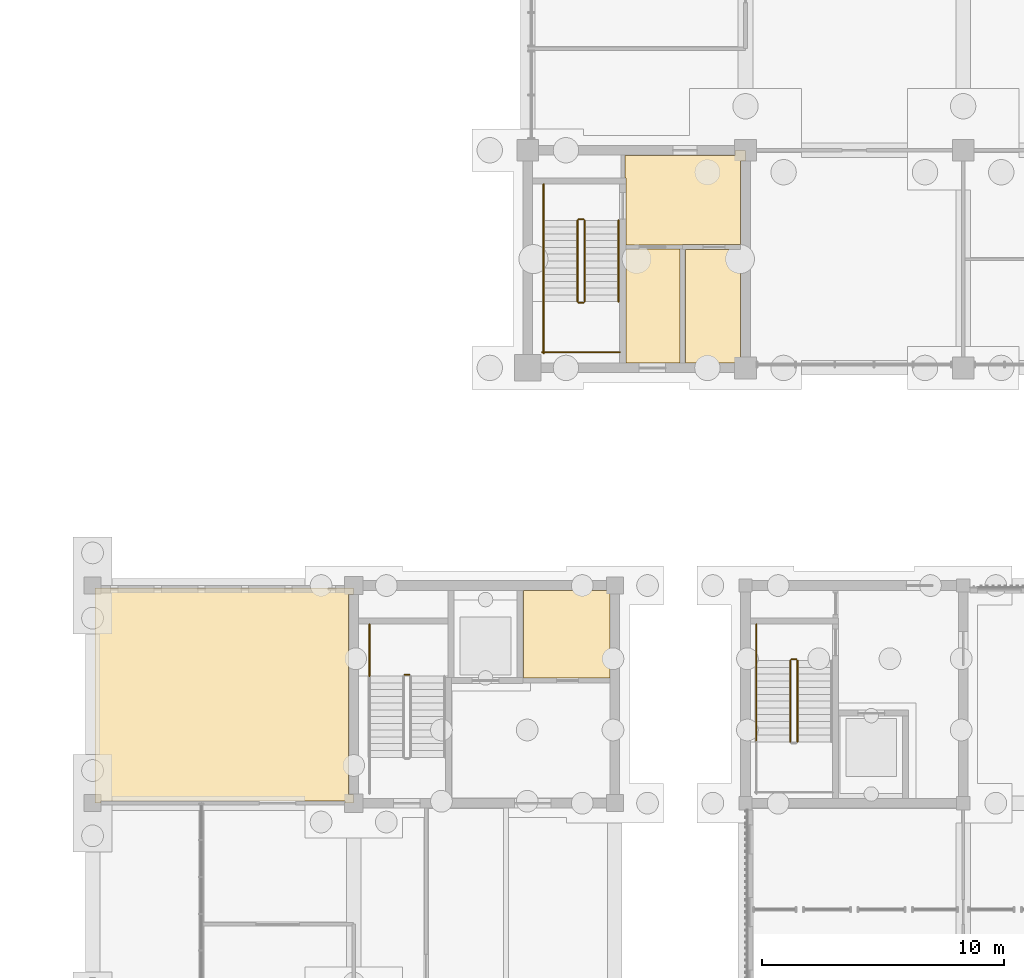
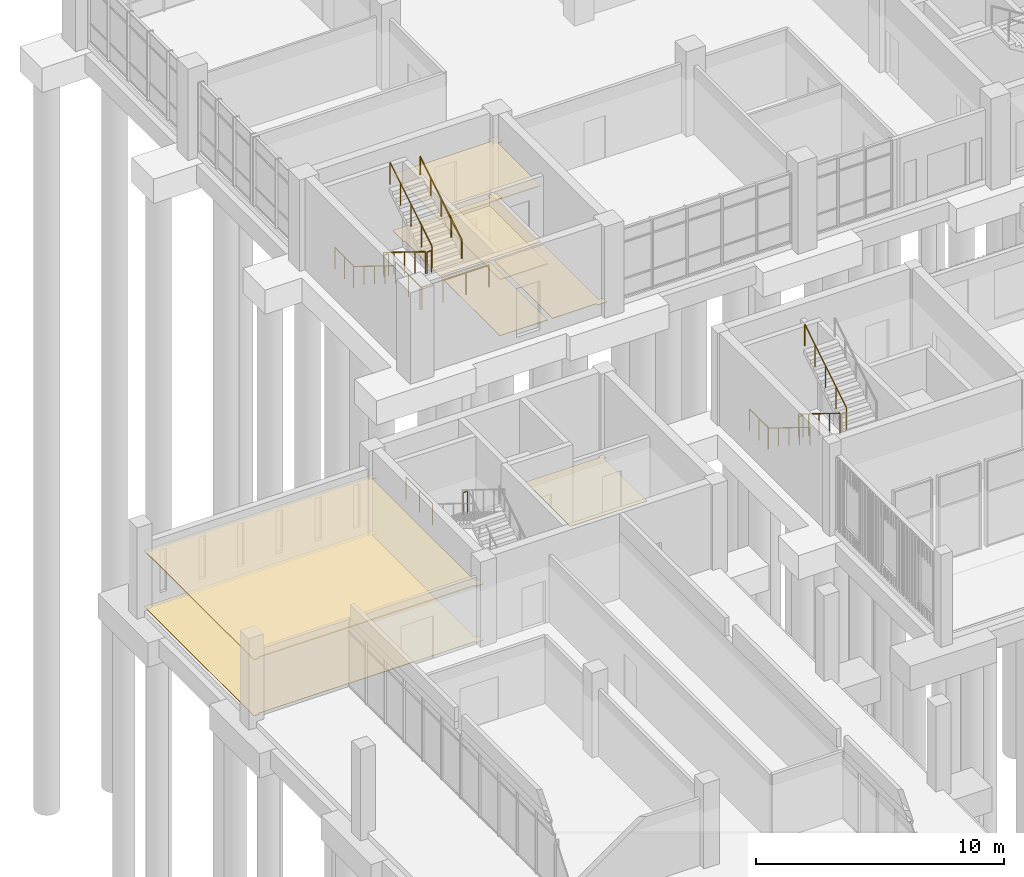
# One storey, part 99 of 106: 16 railings, 8 coverings.
"""IFC4 building model written with IfcOpenShell, lengths in metres."""

from ifc_helpers import new_model, si_unit, direction, frame, origin, origin_2d, place, context, subcontext, project, spatial, polyline, circle, outline, extrude, material, layer, layer_set, type_object, element, save


model = new_model("IFC4")

# Units and contexts
model_context = context("Model", 3, precision=1e-05, world=origin(), true_north=direction((0.0, 1.0)))
body_context = subcontext(model_context, "Body", "Model", "MODEL_VIEW")
ifc_project = project(units=[si_unit("LENGTHUNIT", "METRE"), si_unit("AREAUNIT", "SQUARE_METRE"), si_unit("VOLUMEUNIT", "CUBIC_METRE"), si_unit("PLANEANGLEUNIT", "RADIAN"), si_unit("MASSUNIT", "GRAM", prefix="KILO")], contexts=[model_context])

# Site, building, storey
site_placement = place(None, origin())
site = spatial("IfcSite", under=ifc_project, at=site_placement, CompositionType="ELEMENT")
building_placement = place(site_placement, origin())
building = spatial("IfcBuilding", under=site, at=building_placement, Name="Merrow Basin Faculty of Sciences", CompositionType="ELEMENT")
storey_placement = place(building_placement, origin())
storey = spatial("IfcBuildingStorey", under=building, at=storey_placement, Name="L00", CompositionType="ELEMENT", Elevation=0.0)

# Coverings
ifc_material_1 = material(Name="Carpet tile floor")
ifc_layer_1 = layer(ifc_material_1, 0.02001953125)
ifc_layer_set_1 = layer_set([ifc_layer_1], Name="Carpet tile floor")
covering_type_1 = type_object("IfcCoveringType", Name="Carpet tile floor", PredefinedType="FLOORING", material=ifc_layer_set_1)
covering_1_placement = place(storey_placement, origin())
element("IfcCovering", 1, at=covering_1_placement, inside=storey, type_object=covering_type_1, Name="Floor finish L00-B-013", PredefinedType="FLOORING", context=body_context, shape_type="SweptSolid", body=[
    extrude(outline(polyline([(21.389892578125, 129.18505859375), (17.81005859375, 129.18505859375), (17.81005859375, 132.7900390625), (21.260009765625, 132.7900390625), (21.260009765625, 132.889892578125), (21.489990234375, 132.889892578125), (21.489990234375, 132.659912109375), (21.389892578125, 132.659912109375), (21.389892578125, 129.18505859375)])), origin(), (0.0, 0.0, 1.0), 0.02001953125),
])
covering_2_placement = place(storey_placement, origin())
element("IfcCovering", 2, at=covering_2_placement, inside=storey, type_object=covering_type_1, Name="Floor finish L00-T-011", PredefinedType="FLOORING", context=body_context, shape_type="SweptSolid", body=[
    extrude(outline(polyline([(26.989990234375, 142.110107421875), (26.56005859375, 142.110107421875), (26.56005859375, 142.2099609375), (24.510009765625, 142.2099609375), (24.510009765625, 146.889892578125), (26.7900390625, 146.889892578125), (26.7900390625, 142.43994140625), (26.989990234375, 142.43994140625), (26.989990234375, 142.110107421875)])), origin(), (0.0, 0.0, 1.0), 0.02001953125),
])
ifc_material_2 = material(Name="Polished terrazzo floor")
ifc_layer_2 = layer(ifc_material_2, 0.02001953125)
ifc_layer_set_2 = layer_set([ifc_layer_2], Name="Polished terrazzo floor")
covering_type_2 = type_object("IfcCoveringType", Name="Polished terrazzo floor", PredefinedType="FLOORING", material=ifc_layer_set_2)
covering_3_placement = place(storey_placement, origin())
element("IfcCovering", 3, at=covering_3_placement, inside=storey, type_object=covering_type_2, Name="Floor finish L00-T-009", PredefinedType="FLOORING", context=body_context, shape_type="SweptSolid", body=[
    extrude(outline(polyline([(26.989990234375, 150.989990234375), (26.989990234375, 150.56005859375), (26.7900390625, 150.56005859375), (26.7900390625, 147.110107421875), (24.389892578125, 147.110107421875), (24.389892578125, 147.0849609375), (22.06005859375, 147.0849609375), (22.06005859375, 149.860107421875), (22.010009765625, 149.860107421875), (22.010009765625, 150.7900390625), (26.56005859375, 150.7900390625), (26.56005859375, 150.989990234375), (26.989990234375, 150.989990234375)])), origin(), (0.0, 0.0, 1.0), 0.02001953125),
])
covering_4_placement = place(storey_placement, origin())
element("IfcCovering", 4, at=covering_4_placement, inside=storey, type_object=covering_type_2, Name="Floor finish L00-T-010", PredefinedType="FLOORING", context=body_context, shape_type="SweptSolid", body=[
    extrude(outline(polyline([(24.2900390625, 146.9150390625), (24.2900390625, 142.2099609375), (22.06005859375, 142.2099609375), (22.06005859375, 146.9150390625), (24.2900390625, 146.9150390625)])), origin(), (0.0, 0.0, 1.0), 0.02001953125),
])
ifc_material_3 = material(Name="Sealed concrete floor", Category="concrete")
ifc_layer_3 = layer(ifc_material_3, 0.02001953125)
ifc_layer_set_3 = layer_set([ifc_layer_3], Name="Sealed concrete floor")
covering_type_3 = type_object("IfcCoveringType", Name="Sealed concrete floor", PredefinedType="FLOORING", material=ifc_layer_set_3)
covering_5_placement = place(storey_placement, origin())
element("IfcCovering", 5, at=covering_5_placement, inside=storey, type_object=covering_type_3, Name="Floor finish L00-B-024", PredefinedType="FLOORING", context=body_context, shape_type="SweptSolid", body=[
    extrude(outline(polyline([(10.43505859375, 124.010009765625), (10.43505859375, 124.0849609375), (0.340087890625, 124.0849609375), (0.340087890625, 124.010009765625), (0.110107421875, 124.010009765625), (0.110107421875, 132.889892578125), (10.7900390625, 132.889892578125), (10.7900390625, 132.635009765625), (10.590087890625, 132.635009765625), (10.590087890625, 124.364990234375), (10.7900390625, 124.364990234375), (10.7900390625, 124.010009765625), (10.43505859375, 124.010009765625)])), origin(), (0.0, 0.0, 1.0), 0.02001953125),
])

# Railings
ifc_material_4 = material(Name="Steel ASTM A36", Category="steel")
railing_type_1 = type_object("IfcRailingType", Name="Steel guard 1100", PredefinedType="GUARDRAIL", material=ifc_material_4)
railing_1_placement = place(storey_placement, frame((13.10009765625, 129.31005859375, 2.25)))
element("IfcRailing", 6, at=railing_1_placement, inside=storey, type_object=railing_type_1, Name="L00 ST-V4-N stair guard 2", PredefinedType="GUARDRAIL", context=body_context, shape_type="SweptSolid", body=[
    extrude(circle(Radius=0.02392578125, at=origin_2d()), frame((0.0, 0.0, 1.076171875), z_axis=(-1.0, 0.0, 0.0), x_axis=(0.0, -1.0, 0.0)), (0.0, 0.0, 1.0), 0.2001953125),
    extrude(circle(Radius=0.02099609375, at=origin_2d()), origin(), (0.0, 0.0, 1.0), 1.052001953125),
    extrude(circle(Radius=0.02099609375, at=origin_2d()), frame((-0.2001953125, 0.0, 0.0)), (0.0, 0.0, 1.0), 1.052001953125),
])
railing_2_placement = place(storey_placement, frame((11.449951171875, 129.260009765625, 2.25)))
element("IfcRailing", 7, at=railing_2_placement, inside=storey, type_object=railing_type_1, Name="L00 ST-V4-N stair guard 3", PredefinedType="GUARDRAIL", context=body_context, shape_type="SweptSolid", body=[
    extrude(circle(Radius=0.02392578125, at=origin_2d()), frame((0.0, 0.0, 1.076171875), z_axis=(0.0, 1.0, 0.0), x_axis=(-1.0, 0.0, 0.0)), (0.0, 0.0, 1.0), 2.139892578125),
    extrude(circle(Radius=0.02099609375, at=origin_2d()), origin(), (0.0, 0.0, 1.0), 1.052001953125),
    extrude(circle(Radius=0.02099609375, at=origin_2d()), frame((0.0, 1.06982421875, 0.0)), (0.0, 0.0, 1.0), 1.052001953125),
    extrude(circle(Radius=0.02099609375, at=origin_2d()), frame((0.0, 2.139892578125, 0.0)), (0.0, 0.0, 1.0), 1.052001953125),
])
railing_3_placement = place(storey_placement, frame((28.85009765625, 129.89990234375, 0.173095703125)))
element("IfcRailing", 8, at=railing_3_placement, inside=storey, type_object=railing_type_1, Name="L00 ST-V2-W stair guard 1", PredefinedType="GUARDRAIL", context=body_context, shape_type="SweptSolid", body=[
    extrude(circle(Radius=0.02392578125, at=origin_2d()), frame((0.0, 0.0, 1.076171875), z_axis=(0.0, -0.850606129759, 0.525803396734), x_axis=(1.0, 0.0, 0.0)), (0.0, 0.0, 1.0), 3.949951171875),
    extrude(circle(Radius=0.02099609375, at=origin_2d()), origin(), (0.0, 0.0, 1.0), 1.052001953125),
    extrude(circle(Radius=0.02099609375, at=origin_2d()), frame((0.0, -0.83984375, 0.519287109375)), (0.0, 0.0, 1.0), 1.052001953125),
    extrude(circle(Radius=0.02099609375, at=origin_2d()), frame((0.0, -1.679931640625, 1.03857421875)), (0.0, 0.0, 1.0), 1.052001953125),
    extrude(circle(Radius=0.02099609375, at=origin_2d()), frame((0.0, -2.52001953125, 1.5576171875)), (0.0, 0.0, 1.0), 1.052001953125),
    extrude(circle(Radius=0.02099609375, at=origin_2d()), frame((0.0, -3.35986328125, 2.076904296875)), (0.0, 0.0, 1.0), 1.052001953125),
])
railing_4_placement = place(storey_placement, frame((29.14990234375, 126.5400390625, 2.423095703125)))
element("IfcRailing", 9, at=railing_4_placement, inside=storey, type_object=railing_type_1, Name="L00 ST-V2-W stair guard 5", PredefinedType="GUARDRAIL", context=body_context, shape_type="SweptSolid", body=[
    extrude(circle(Radius=0.02392578125, at=origin_2d()), frame((0.0, 0.0, 1.076171875), z_axis=(0.0, 0.850606129759, 0.525803396734), x_axis=(-1.0, 0.0, 0.0)), (0.0, 0.0, 1.0), 3.949951171875),
    extrude(circle(Radius=0.02099609375, at=origin_2d()), origin(), (0.0, 0.0, 1.0), 1.052001953125),
    extrude(circle(Radius=0.02099609375, at=origin_2d()), frame((0.0, 0.83984375, 0.519287109375)), (0.0, 0.0, 1.0), 1.052001953125),
    extrude(circle(Radius=0.02099609375, at=origin_2d()), frame((0.0, 1.679931640625, 1.03857421875)), (0.0, 0.0, 1.0), 1.052001953125),
    extrude(circle(Radius=0.02099609375, at=origin_2d()), frame((0.0, 2.52001953125, 1.5576171875)), (0.0, 0.0, 1.0), 1.052001953125),
    extrude(circle(Radius=0.02099609375, at=origin_2d()), frame((0.0, 3.35986328125, 2.076904296875)), (0.0, 0.0, 1.0), 1.052001953125),
])
railing_5_placement = place(storey_placement, frame((28.89990234375, 129.949951171875, 0.0)))
element("IfcRailing", 10, at=railing_5_placement, inside=storey, type_object=railing_type_1, Name="L00 ST-V2-W stair guard 6", PredefinedType="GUARDRAIL", context=body_context, shape_type="SweptSolid", body=[
    extrude(circle(Radius=0.02392578125, at=origin_2d()), frame((0.0, 0.0, 1.076171875), z_axis=(1.0, 0.0, 0.0), x_axis=(0.0, 1.0, 0.0)), (0.0, 0.0, 1.0), 0.2001953125),
    extrude(circle(Radius=0.02099609375, at=origin_2d()), origin(), (0.0, 0.0, 1.0), 1.052001953125),
    extrude(circle(Radius=0.02099609375, at=origin_2d()), frame((0.2001953125, 0.0, 0.0)), (0.0, 0.0, 1.0), 1.052001953125),
])
railing_6_placement = place(storey_placement, frame((27.449951171875, 131.39990234375, 0.0)))
element("IfcRailing", 11, at=railing_6_placement, inside=storey, type_object=railing_type_1, Name="L00 ST-V2-W stair guard 7", PredefinedType="GUARDRAIL", context=body_context, shape_type="SweptSolid", body=[
    extrude(circle(Radius=0.02392578125, at=origin_2d()), frame((0.0, 0.0, 1.076171875), z_axis=(0.0, -1.0, 0.0), x_axis=(1.0, 0.0, 0.0)), (0.0, 0.0, 1.0), 1.5),
    extrude(circle(Radius=0.02099609375, at=origin_2d()), origin(), (0.0, 0.0, 1.0), 1.052001953125),
    extrude(circle(Radius=0.02099609375, at=origin_2d()), frame((0.0, -0.75, 0.0)), (0.0, 0.0, 1.0), 1.052001953125),
    extrude(circle(Radius=0.02099609375, at=origin_2d()), frame((0.0, -1.5, 0.0)), (0.0, 0.0, 1.0), 1.052001953125),
])
railing_7_placement = place(storey_placement, frame((20.050048828125, 148.10009765625, 0.173095703125)))
element("IfcRailing", 12, at=railing_7_placement, inside=storey, type_object=railing_type_1, Name="L00 ST-V5-W stair guard 1", PredefinedType="GUARDRAIL", context=body_context, shape_type="SweptSolid", body=[
    extrude(circle(Radius=0.02392578125, at=origin_2d()), frame((0.0, 0.0, 1.076171875), z_axis=(0.0, -0.850623216509, 0.525775754039), x_axis=(1.0, 0.0, 0.0)), (0.0, 0.0, 1.0), 3.9501953125),
    extrude(circle(Radius=0.02099609375, at=origin_2d()), origin(), (0.0, 0.0, 1.0), 1.052001953125),
    extrude(circle(Radius=0.02099609375, at=origin_2d()), frame((0.0, -0.840087890625, 0.519287109375)), (0.0, 0.0, 1.0), 1.052001953125),
    extrude(circle(Radius=0.02099609375, at=origin_2d()), frame((0.0, -1.68017578125, 1.03857421875)), (0.0, 0.0, 1.0), 1.052001953125),
    extrude(circle(Radius=0.02099609375, at=origin_2d()), frame((0.0, -2.52001953125, 1.5576171875)), (0.0, 0.0, 1.0), 1.052001953125),
    extrude(circle(Radius=0.02099609375, at=origin_2d()), frame((0.0, -3.360107421875, 2.076904296875)), (0.0, 0.0, 1.0), 1.052001953125),
])
railing_8_placement = place(storey_placement, frame((20.10009765625, 144.68994140625, 2.25)))
element("IfcRailing", 13, at=railing_8_placement, inside=storey, type_object=railing_type_1, Name="L00 ST-V5-W stair guard 2", PredefinedType="GUARDRAIL", context=body_context, shape_type="SweptSolid", body=[
    extrude(circle(Radius=0.02392578125, at=origin_2d()), frame((0.0, 0.0, 1.076171875), z_axis=(1.0, 0.0, 0.0), x_axis=(0.0, 1.0, 0.0)), (0.0, 0.0, 1.0), 0.199951171875),
    extrude(circle(Radius=0.02099609375, at=origin_2d()), origin(), (0.0, 0.0, 1.0), 1.052001953125),
    extrude(circle(Radius=0.02099609375, at=origin_2d()), frame((0.199951171875, 0.0, 0.0)), (0.0, 0.0, 1.0), 1.052001953125),
])
railing_9_placement = place(storey_placement, frame((18.64990234375, 144.739990234375, 2.25)))
element("IfcRailing", 14, at=railing_9_placement, inside=storey, type_object=railing_type_1, Name="L00 ST-V5-W stair guard 3", PredefinedType="GUARDRAIL", context=body_context, shape_type="SweptSolid", body=[
    extrude(circle(Radius=0.02392578125, at=origin_2d()), frame((0.0, 0.0, 1.076171875), z_axis=(0.0, -1.0, 0.0), x_axis=(1.0, 0.0, 0.0)), (0.0, 0.0, 1.0), 2.139892578125),
    extrude(circle(Radius=0.02099609375, at=origin_2d()), origin(), (0.0, 0.0, 1.0), 1.052001953125),
    extrude(circle(Radius=0.02099609375, at=origin_2d()), frame((0.0, -1.06982421875, 0.0)), (0.0, 0.0, 1.0), 1.052001953125),
    extrude(circle(Radius=0.02099609375, at=origin_2d()), frame((0.0, -2.139892578125, 0.0)), (0.0, 0.0, 1.0), 1.052001953125),
])
railing_10_placement = place(storey_placement, frame((18.60009765625, 142.64990234375, 2.25)))
element("IfcRailing", 15, at=railing_10_placement, inside=storey, type_object=railing_type_1, Name="L00 ST-V5-W stair guard 4", PredefinedType="GUARDRAIL", context=body_context, shape_type="SweptSolid", body=[
    extrude(circle(Radius=0.02392578125, at=origin_2d()), frame((0.0, 0.0, 1.076171875), z_axis=(1.0, 0.0, 0.0), x_axis=(0.0, 1.0, 0.0)), (0.0, 0.0, 1.0), 3.199951171875),
    extrude(circle(Radius=0.02099609375, at=origin_2d()), origin(), (0.0, 0.0, 1.0), 1.052001953125),
    extrude(circle(Radius=0.02099609375, at=origin_2d()), frame((1.066650390625, 0.0, 0.0)), (0.0, 0.0, 1.0), 1.052001953125),
    extrude(circle(Radius=0.02099609375, at=origin_2d()), frame((2.13330078125, 0.0, 0.0)), (0.0, 0.0, 1.0), 1.052001953125),
    extrude(circle(Radius=0.02099609375, at=origin_2d()), frame((3.199951171875, 0.0, 0.0)), (0.0, 0.0, 1.0), 1.052001953125),
])
railing_11_placement = place(storey_placement, frame((20.35009765625, 144.739990234375, 2.423095703125)))
element("IfcRailing", 16, at=railing_11_placement, inside=storey, type_object=railing_type_1, Name="L00 ST-V5-W stair guard 5", PredefinedType="GUARDRAIL", context=body_context, shape_type="SweptSolid", body=[
    extrude(circle(Radius=0.02392578125, at=origin_2d()), frame((0.0, 0.0, 1.076171875), z_axis=(0.0, 0.850623216509, 0.525775754039), x_axis=(-1.0, 0.0, 0.0)), (0.0, 0.0, 1.0), 3.9501953125),
    extrude(circle(Radius=0.02099609375, at=origin_2d()), origin(), (0.0, 0.0, 1.0), 1.052001953125),
    extrude(circle(Radius=0.02099609375, at=origin_2d()), frame((0.0, 0.840087890625, 0.519287109375)), (0.0, 0.0, 1.0), 1.052001953125),
    extrude(circle(Radius=0.02099609375, at=origin_2d()), frame((0.0, 1.68017578125, 1.03857421875)), (0.0, 0.0, 1.0), 1.052001953125),
    extrude(circle(Radius=0.02099609375, at=origin_2d()), frame((0.0, 2.52001953125, 1.5576171875)), (0.0, 0.0, 1.0), 1.052001953125),
    extrude(circle(Radius=0.02099609375, at=origin_2d()), frame((0.0, 3.360107421875, 2.076904296875)), (0.0, 0.0, 1.0), 1.052001953125),
])
railing_12_placement = place(storey_placement, frame((20.10009765625, 148.14990234375, 0.0)))
element("IfcRailing", 17, at=railing_12_placement, inside=storey, type_object=railing_type_1, Name="L00 ST-V5-W stair guard 6", PredefinedType="GUARDRAIL", context=body_context, shape_type="SweptSolid", body=[
    extrude(circle(Radius=0.02392578125, at=origin_2d()), frame((0.0, 0.0, 1.076171875), z_axis=(1.0, 0.0, 0.0), x_axis=(0.0, 1.0, 0.0)), (0.0, 0.0, 1.0), 0.199951171875),
    extrude(circle(Radius=0.02099609375, at=origin_2d()), origin(), (0.0, 0.0, 1.0), 1.052001953125),
    extrude(circle(Radius=0.02099609375, at=origin_2d()), frame((0.199951171875, 0.0, 0.0)), (0.0, 0.0, 1.0), 1.052001953125),
])
railing_13_placement = place(storey_placement, frame((18.64990234375, 149.60009765625, 0.0)))
element("IfcRailing", 18, at=railing_13_placement, inside=storey, type_object=railing_type_1, Name="L00 ST-V5-W stair guard 7", PredefinedType="GUARDRAIL", context=body_context, shape_type="SweptSolid", body=[
    extrude(circle(Radius=0.02392578125, at=origin_2d()), frame((0.0, 0.0, 1.076171875), z_axis=(0.0, -1.0, 0.0), x_axis=(1.0, 0.0, 0.0)), (0.0, 0.0, 1.0), 1.5),
    extrude(circle(Radius=0.02099609375, at=origin_2d()), origin(), (0.0, 0.0, 1.0), 1.052001953125),
    extrude(circle(Radius=0.02099609375, at=origin_2d()), frame((0.0, -0.75, 0.0)), (0.0, 0.0, 1.0), 1.052001953125),
    extrude(circle(Radius=0.02099609375, at=origin_2d()), frame((0.0, -1.5, 0.0)), (0.0, 0.0, 1.0), 1.052001953125),
])
ifc_material_5 = material(Name="Steel ASTM A36", Category="steel")
railing_type_2 = type_object("IfcRailingType", Name="Steel handrail 900", PredefinedType="HANDRAIL", material=ifc_material_5)
railing_14_placement = place(storey_placement, frame((27.449951171875, 129.89990234375, 0.173095703125)))
element("IfcRailing", 19, at=railing_14_placement, inside=storey, type_object=railing_type_2, Name="L00 ST-V2-W stair handrail 1", PredefinedType="HANDRAIL", context=body_context, shape_type="SweptSolid", body=[
    extrude(circle(Radius=0.02392578125, at=origin_2d()), frame((0.0, 0.0, 0.8759765625), z_axis=(0.0, -0.850606129759, 0.525803396734), x_axis=(1.0, 0.0, 0.0)), (0.0, 0.0, 1.0), 3.949951171875),
    extrude(circle(Radius=0.02099609375, at=origin_2d()), origin(), (0.0, 0.0, 1.0), 0.851806640625),
    extrude(circle(Radius=0.02099609375, at=origin_2d()), frame((0.0, -0.83984375, 0.519287109375)), (0.0, 0.0, 1.0), 0.851806640625),
    extrude(circle(Radius=0.02099609375, at=origin_2d()), frame((0.0, -1.679931640625, 1.03857421875)), (0.0, 0.0, 1.0), 0.851806640625),
    extrude(circle(Radius=0.02099609375, at=origin_2d()), frame((0.0, -2.52001953125, 1.5576171875)), (0.0, 0.0, 1.0), 0.851806640625),
    extrude(circle(Radius=0.02099609375, at=origin_2d()), frame((0.0, -3.35986328125, 2.076904296875)), (0.0, 0.0, 1.0), 0.851806640625),
])
railing_15_placement = place(storey_placement, frame((18.64990234375, 148.10009765625, 0.173095703125)))
element("IfcRailing", 20, at=railing_15_placement, inside=storey, type_object=railing_type_2, Name="L00 ST-V5-W stair handrail 1", PredefinedType="HANDRAIL", context=body_context, shape_type="SweptSolid", body=[
    extrude(circle(Radius=0.02392578125, at=origin_2d()), frame((0.0, 0.0, 0.8759765625), z_axis=(0.0, -0.850623216509, 0.525775754039), x_axis=(1.0, 0.0, 0.0)), (0.0, 0.0, 1.0), 3.9501953125),
    extrude(circle(Radius=0.02099609375, at=origin_2d()), origin(), (0.0, 0.0, 1.0), 0.851806640625),
    extrude(circle(Radius=0.02099609375, at=origin_2d()), frame((0.0, -0.840087890625, 0.519287109375)), (0.0, 0.0, 1.0), 0.851806640625),
    extrude(circle(Radius=0.02099609375, at=origin_2d()), frame((0.0, -1.68017578125, 1.03857421875)), (0.0, 0.0, 1.0), 0.851806640625),
    extrude(circle(Radius=0.02099609375, at=origin_2d()), frame((0.0, -2.52001953125, 1.5576171875)), (0.0, 0.0, 1.0), 0.851806640625),
    extrude(circle(Radius=0.02099609375, at=origin_2d()), frame((0.0, -3.360107421875, 2.076904296875)), (0.0, 0.0, 1.0), 0.851806640625),
])
railing_16_placement = place(storey_placement, frame((21.75, 144.739990234375, 2.423095703125)))
element("IfcRailing", 21, at=railing_16_placement, inside=storey, type_object=railing_type_2, Name="L00 ST-V5-W stair handrail 2", PredefinedType="HANDRAIL", context=body_context, shape_type="SweptSolid", body=[
    extrude(circle(Radius=0.02392578125, at=origin_2d()), frame((0.0, 0.0, 0.8759765625), z_axis=(0.0, 0.850623216509, 0.525775754039), x_axis=(-1.0, 0.0, 0.0)), (0.0, 0.0, 1.0), 3.9501953125),
    extrude(circle(Radius=0.02099609375, at=origin_2d()), origin(), (0.0, 0.0, 1.0), 0.851806640625),
    extrude(circle(Radius=0.02099609375, at=origin_2d()), frame((0.0, 0.840087890625, 0.519287109375)), (0.0, 0.0, 1.0), 0.851806640625),
    extrude(circle(Radius=0.02099609375, at=origin_2d()), frame((0.0, 1.68017578125, 1.03857421875)), (0.0, 0.0, 1.0), 0.851806640625),
    extrude(circle(Radius=0.02099609375, at=origin_2d()), frame((0.0, 2.52001953125, 1.5576171875)), (0.0, 0.0, 1.0), 0.851806640625),
    extrude(circle(Radius=0.02099609375, at=origin_2d()), frame((0.0, 3.360107421875, 2.076904296875)), (0.0, 0.0, 1.0), 0.851806640625),
])

# Coverings
ifc_material_6 = material(Name="Mineral fibre ceiling tile")
ifc_layer_4 = layer(ifc_material_6, 0.050048828125)
ifc_layer_set_4 = layer_set([ifc_layer_4], Name="Suspended acoustic ceiling tile")
covering_type_4 = type_object("IfcCoveringType", Name="Suspended acoustic ceiling tile", PredefinedType="CEILING", material=ifc_layer_set_4)
covering_6_placement = place(storey_placement, frame((0.0, 0.0, 2.75)))
element("IfcCovering", 22, at=covering_6_placement, inside=storey, type_object=covering_type_4, Name="Ceiling L00-B-024", PredefinedType="CEILING", context=body_context, shape_type="SweptSolid", body=[
    extrude(outline(polyline([(10.43505859375, 124.010009765625), (10.43505859375, 124.0849609375), (0.340087890625, 124.0849609375), (0.340087890625, 124.010009765625), (0.110107421875, 124.010009765625), (0.110107421875, 132.889892578125), (10.7900390625, 132.889892578125), (10.7900390625, 132.635009765625), (10.590087890625, 132.635009765625), (10.590087890625, 124.364990234375), (10.7900390625, 124.364990234375), (10.7900390625, 124.010009765625), (10.43505859375, 124.010009765625)])), origin(), (0.0, 0.0, 1.0), 0.050048828125),
])
covering_7_placement = place(storey_placement, frame((0.0, 0.0, 2.75)))
element("IfcCovering", 23, at=covering_7_placement, inside=storey, type_object=covering_type_4, Name="Ceiling L00-T-009", PredefinedType="CEILING", context=body_context, shape_type="SweptSolid", body=[
    extrude(outline(polyline([(26.989990234375, 150.989990234375), (26.989990234375, 150.56005859375), (26.7900390625, 150.56005859375), (26.7900390625, 147.110107421875), (24.389892578125, 147.110107421875), (24.389892578125, 147.0849609375), (22.06005859375, 147.0849609375), (22.06005859375, 149.860107421875), (22.010009765625, 149.860107421875), (22.010009765625, 150.7900390625), (26.56005859375, 150.7900390625), (26.56005859375, 150.989990234375), (26.989990234375, 150.989990234375)])), origin(), (0.0, 0.0, 1.0), 0.050048828125),
])
covering_8_placement = place(storey_placement, frame((0.0, 0.0, 2.75)))
element("IfcCovering", 24, at=covering_8_placement, inside=storey, type_object=covering_type_4, Name="Ceiling L00-T-010", PredefinedType="CEILING", context=body_context, shape_type="SweptSolid", body=[
    extrude(outline(polyline([(24.2900390625, 146.9150390625), (24.2900390625, 142.2099609375), (22.06005859375, 142.2099609375), (22.06005859375, 146.9150390625), (24.2900390625, 146.9150390625)])), origin(), (0.0, 0.0, 1.0), 0.050048828125),
])

save(model, "model.ifc")
